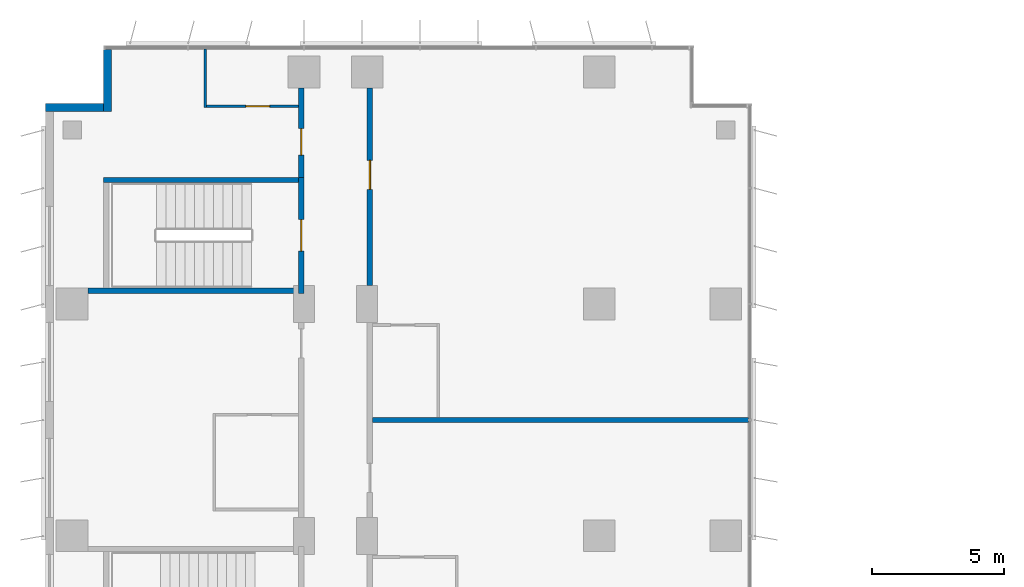
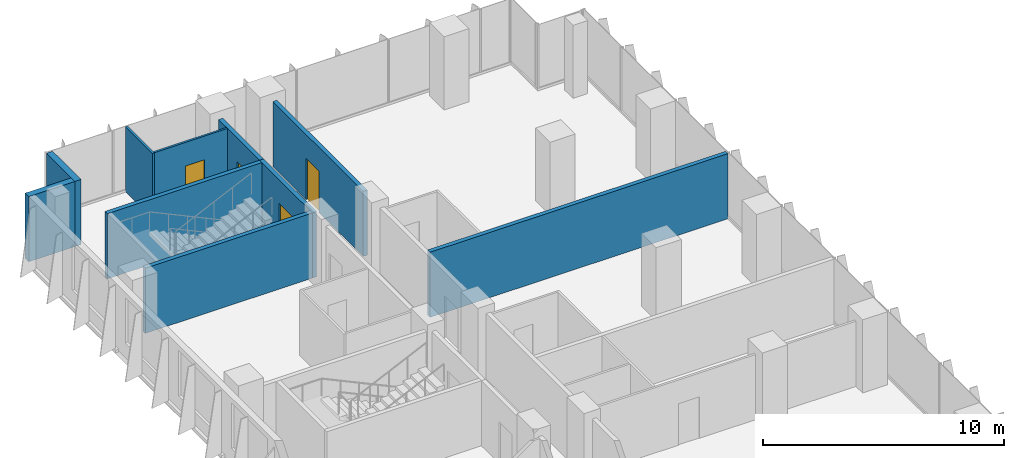
# One storey, part 17 of 22: 10 walls, 4 doors, 4 openings.
"""IFC4 building model written with IfcOpenShell, lengths in metres."""

from ifc_helpers import new_model, si_unit, direction, frame, frame_2d, origin, place, context, subcontext, project, spatial, rectangle, extrude, material, layer, layer_set, type_object, element, fill, save


model = new_model("IFC4")

# Units and contexts
model_context = context("Model", 3, precision=1e-05, world=origin(), true_north=direction((0.0, 1.0)))
body_context = subcontext(model_context, "Body", "Model", "MODEL_VIEW")
ifc_project = project(units=[si_unit("LENGTHUNIT", "METRE"), si_unit("AREAUNIT", "SQUARE_METRE"), si_unit("VOLUMEUNIT", "CUBIC_METRE"), si_unit("PLANEANGLEUNIT", "RADIAN"), si_unit("MASSUNIT", "GRAM", prefix="KILO")], contexts=[model_context])

# Site, building, storey
site_placement = place(None, origin())
site = spatial("IfcSite", under=ifc_project, at=site_placement, CompositionType="ELEMENT")
building_placement = place(site_placement, origin())
building = spatial("IfcBuilding", under=site, at=building_placement, Name="Kemantara Hotel Tower", CompositionType="ELEMENT")
storey_placement = place(building_placement, frame((0.0, 0.0, 98.199951171875)))
storey = spatial("IfcBuildingStorey", under=building, at=storey_placement, Name="L23", CompositionType="ELEMENT", Elevation=98.199951171875)

# Walls
ifc_material_1 = material(Name="Bronze anodised aluminium cladding on insulated steel stud wall", Category="steel")
ifc_layer_1 = layer(ifc_material_1, 0.300048828125)
ifc_layer_set_1 = layer_set([ifc_layer_1], Name="Bronze anodised aluminium cladding on insulated steel stud wall")
wall_type_1 = type_object("IfcWallType", Name="BRONZE METAL-CLAD EXTERNAL WALL 300", PredefinedType="STANDARD", material=ifc_layer_set_1)
wall_1_placement = place(storey_placement, frame((2.35009765625, 81.050048828125, 0.0), z_axis=(0.0, 0.0, 1.0), x_axis=(0.0, -1.0, 0.0)))
element("IfcWall", 1, at=wall_1_placement, inside=storey, type_object=wall_type_1, Name="EXTERNAL WALL L23 T2-R02", PredefinedType="STANDARD", context=body_context, shape_type="SweptSolid", body=[
    extrude(rectangle(XDim=2.35009765625, YDim=0.300048828125, at=frame_2d((1.175048828125, 0.0))), origin(), (0.0, 0.0, 1.0), 3.300048828125),
])
wall_2_placement = place(storey_placement, frame((2.199951171875, 78.85009765625, 0.0), z_axis=(0.0, 0.0, 1.0), x_axis=(-1.0, 0.0, 0.0)))
element("IfcWall", 2, at=wall_2_placement, inside=storey, type_object=wall_type_1, Name="EXTERNAL WALL L23 T2-R03", PredefinedType="STANDARD", context=body_context, shape_type="SweptSolid", body=[
    extrude(rectangle(XDim=2.199951171875, YDim=0.300048828125, at=frame_2d((1.10009765625, 0.0))), origin(), (0.0, 0.0, 1.0), 3.300048828125),
])

# Wall, opening, door
ifc_material_2 = material(Name="Gypsum board partition, steel studs and mineral wool, 200 mm", Category="steel")
ifc_layer_2 = layer(ifc_material_2, 0.199951171875)
ifc_layer_set_2 = layer_set([ifc_layer_2], Name="Gypsum board partition, steel studs and mineral wool, 200 mm")
wall_type_2 = type_object("IfcWallType", Name="CORRIDOR WALL 200", PredefinedType="PARTITIONING", material=ifc_layer_set_2)
wall_3_placement = place(storey_placement, frame((9.699951171875, 76.199951171875, 0.0), z_axis=(0.0, 0.0, 1.0), x_axis=(0.0, 1.0, 0.0)))
wall_3 = element("IfcWall", 3, at=wall_3_placement, inside=storey, type_object=wall_type_2, Name="CORRIDOR WALL 200 023", PredefinedType="PARTITIONING", context=body_context, shape_type="SweptSolid", body=[
    extrude(rectangle(XDim=3.39990234375, YDim=0.199951171875, at=frame_2d((1.699951171875, 0.0))), origin(), (0.0, 0.0, 1.0), 3.300048828125),
])
opening_1_placement = place(wall_3_placement, frame((0.85009765625, 0.0, 0.0)))
opening_1 = element("IfcOpeningElement", 4, at=opening_1_placement, cuts=wall_3, Name="Opening F09-031", PredefinedType="OPENING", context=body_context, shape_type="SweptSolid", body=[
    extrude(rectangle(XDim=1.0, YDim=2.10009765625, at=frame_2d((0.5, 1.050048828125))), frame((0.0, 0.10986328125, 0.0), z_axis=(0.0, -1.0, 0.0), x_axis=(1.0, 0.0, 0.0)), (0.0, 0.0, 1.0), 0.219970703125),
])
ifc_material_3 = material(Name="Hardwood veneer door leaf with steel frame", Category="steel")
door_type_1 = type_object("IfcDoorType", Name="GUEST ROOM DOOR 1000 X 2100 FD30S", OperationType="NOTDEFINED", PredefinedType="DOOR", material=ifc_material_3)
door_1_placement = place(opening_1_placement, origin())
door_1 = element("IfcDoor", 5, at=door_1_placement, inside=storey, type_object=door_type_1, Name="GUEST ROOM DOOR F09-031", OperationType="SINGLE_SWING_LEFT", OverallHeight=2.10009765625, OverallWidth=1.0, PredefinedType="DOOR", context=body_context, shape_type="SweptSolid", body=[
    extrude(rectangle(XDim=1.0, YDim=2.10009765625, at=frame_2d((0.5, 1.050048828125))), frame((0.0, 0.02490234375, 0.0), z_axis=(0.0, -1.0, 0.0), x_axis=(1.0, 0.0, 0.0)), (0.0, 0.0, 1.0), 0.050048828125),
])
fill(opening_1, door_1)

wall_4_placement = place(storey_placement, frame((12.300048828125, 79.599853515625, 0.0), z_axis=(0.0, 0.0, 1.0), x_axis=(0.0, -1.0, 0.0)))
wall_4 = element("IfcWall", 6, at=wall_4_placement, inside=storey, type_object=wall_type_2, Name="CORRIDOR WALL 200 036", PredefinedType="PARTITIONING", context=body_context, shape_type="SweptSolid", body=[
    extrude(rectangle(XDim=7.499755859375, YDim=0.199951171875, at=frame_2d((3.75, 0.0))), origin(), (0.0, 0.0, 1.0), 3.300048828125),
])
opening_2_placement = place(wall_4_placement, frame((2.75, 0.0, 0.0)))
opening_2 = element("IfcOpeningElement", 7, at=opening_2_placement, cuts=wall_4, Name="Opening F09-045", PredefinedType="OPENING", context=body_context, shape_type="SweptSolid", body=[
    extrude(rectangle(XDim=1.10009765625, YDim=2.10009765625, at=frame_2d((0.550048828125, 1.050048828125))), frame((0.0, 0.10986328125, 0.0), z_axis=(0.0, -1.0, 0.0), x_axis=(1.0, 0.0, 0.0)), (0.0, 0.0, 1.0), 0.219970703125),
])
door_type_2 = type_object("IfcDoorType", Name="SUITE ENTRANCE DOOR 1100 X 2100 FD30S", OperationType="NOTDEFINED", PredefinedType="DOOR", material=ifc_material_3)
door_2_placement = place(opening_2_placement, origin())
door_2 = element("IfcDoor", 8, at=door_2_placement, inside=storey, type_object=door_type_2, Name="SUITE ENTRANCE DOOR F09-045", OperationType="SINGLE_SWING_LEFT", OverallHeight=2.10009765625, OverallWidth=1.10009765625, PredefinedType="DOOR", context=body_context, shape_type="SweptSolid", body=[
    extrude(rectangle(XDim=1.10009765625, YDim=2.10009765625, at=frame_2d((0.550048828125, 1.050048828125))), frame((0.0, 0.02490234375, 0.0), z_axis=(0.0, -1.0, 0.0), x_axis=(1.0, 0.0, 0.0)), (0.0, 0.0, 1.0), 0.050048828125),
])
fill(opening_2, door_2)

ifc_material_4 = material(Name="Concrete fc 40 MPa", Category="concrete")
ifc_layer_3 = layer(ifc_material_4, 0.199951171875)
ifc_layer_set_3 = layer_set([ifc_layer_3], Name="Concrete fc 40 MPa")
wall_type_3 = type_object("IfcWallType", Name="Concrete stair wall 200 mm", PredefinedType="SHEAR", material=ifc_layer_set_3)
wall_5_placement = place(storey_placement, frame((9.699951171875, 71.800048828125, 0.0), z_axis=(0.0, 0.0, 1.0), x_axis=(0.0, 1.0, 0.0)))
wall_5 = element("IfcWall", 9, at=wall_5_placement, inside=storey, type_object=wall_type_3, Name="Stair ST6 enclosure wall with door", PredefinedType="SHEAR", context=body_context, shape_type="SweptSolid", body=[
    extrude(rectangle(XDim=4.39990234375, YDim=0.199951171875, at=frame_2d((2.199951171875, 0.0))), origin(), (0.0, 0.0, 1.0), 3.300048828125),
])
opening_3_placement = place(wall_5_placement, frame((1.60009765625, 0.0, 0.0)))
opening_3 = element("IfcOpeningElement", 10, at=opening_3_placement, cuts=wall_5, Name="Opening ST6-C", PredefinedType="OPENING", context=body_context, shape_type="SweptSolid", body=[
    extrude(rectangle(XDim=1.199951171875, YDim=2.10009765625, at=frame_2d((0.60009765625, 1.050048828125))), frame((0.0, 0.10986328125, 0.0), z_axis=(0.0, -1.0, 0.0), x_axis=(1.0, 0.0, 0.0)), (0.0, 0.0, 1.0), 0.219970703125),
])
ifc_material_5 = material(Name="Steel fire door", Category="steel")
door_type_3 = type_object("IfcDoorType", Name="Fire door FD90 1200 x 2100", OperationType="NOTDEFINED", PredefinedType="DOOR", material=ifc_material_5)
door_3_placement = place(opening_3_placement, origin())
door_3 = element("IfcDoor", 11, at=door_3_placement, inside=storey, type_object=door_type_3, Name="Stair ST6 door", OperationType="SINGLE_SWING_RIGHT", OverallHeight=2.10009765625, OverallWidth=1.199951171875, PredefinedType="DOOR", context=body_context, shape_type="SweptSolid", body=[
    extrude(rectangle(XDim=1.199951171875, YDim=2.10009765625, at=frame_2d((0.60009765625, 1.050048828125))), frame((0.0, 0.02490234375, 0.0), z_axis=(0.0, -1.0, 0.0), x_axis=(1.0, 0.0, 0.0)), (0.0, 0.0, 1.0), 0.050048828125),
])
fill(opening_3, door_3)

# Walls
wall_6_placement = place(storey_placement, frame((2.199951171875, 76.10009765625, 0.0), z_axis=(0.0, 0.0, 1.0), x_axis=(1.0, 0.0, 0.0)))
element("IfcWall", 12, at=wall_6_placement, inside=storey, type_object=wall_type_3, Name="Stair ST6 enclosure wall N", PredefinedType="SHEAR", context=body_context, shape_type="SweptSolid", body=[
    extrude(rectangle(XDim=7.400146484375, YDim=0.199951171875, at=frame_2d((3.7001953125, 0.0))), origin(), (0.0, 0.0, 1.0), 3.300048828125),
])
wall_7_placement = place(storey_placement, frame((1.60009765625, 71.89990234375, 0.0), z_axis=(0.0, 0.0, 1.0), x_axis=(1.0, 0.0, 0.0)))
element("IfcWall", 13, at=wall_7_placement, inside=storey, type_object=wall_type_3, Name="Stair ST6 enclosure wall S", PredefinedType="SHEAR", context=body_context, shape_type="SweptSolid", body=[
    extrude(rectangle(XDim=8.0, YDim=0.199951171875, at=frame_2d((4.0, 0.0))), origin(), (0.0, 0.0, 1.0), 3.300048828125),
])
ifc_layer_4 = layer(ifc_material_2, 0.199951171875)
ifc_layer_set_4 = layer_set([ifc_layer_4], Name="Gypsum board partition, steel studs and mineral wool, 200 mm")
wall_type_4 = type_object("IfcWallType", Name="GUEST ROOM PARTY WALL 200", PredefinedType="PARTITIONING", material=ifc_layer_set_4)
wall_8_placement = place(storey_placement, frame((12.39990234375, 67.0, 0.0), z_axis=(0.0, 0.0, 1.0), x_axis=(1.0, 0.0, 0.0)))
element("IfcWall", 14, at=wall_8_placement, inside=storey, type_object=wall_type_4, Name="GUEST ROOM PARTY WALL 200 042", PredefinedType="PARTITIONING", context=body_context, shape_type="SweptSolid", body=[
    extrude(rectangle(XDim=14.27001953125, YDim=0.199951171875, at=frame_2d((7.135009765625, 0.0))), origin(), (0.0, 0.0, 1.0), 3.300048828125),
])
ifc_material_6 = material(Name="Gypsum board partition on steel studs, 100 mm", Category="steel")
ifc_layer_5 = layer(ifc_material_6, 0.10009765625)
ifc_layer_set_5 = layer_set([ifc_layer_5], Name="Gypsum board partition on steel studs, 100 mm")
wall_type_5 = type_object("IfcWallType", Name="ROOM PARTITION 100", PredefinedType="PARTITIONING", material=ifc_layer_set_5)
wall_9_placement = place(storey_placement, frame((6.050048828125, 78.85009765625, 0.0), z_axis=(0.0, 0.0, 1.0), x_axis=(0.0, 1.0, 0.0)))
element("IfcWall", 15, at=wall_9_placement, inside=storey, type_object=wall_type_5, Name="ROOM PARTITION 100 059", PredefinedType="PARTITIONING", context=body_context, shape_type="SweptSolid", body=[
    extrude(rectangle(XDim=2.219970703125, YDim=0.10009765625, at=frame_2d((1.10986328125, 0.0))), origin(), (0.0, 0.0, 1.0), 3.300048828125),
])

# Wall, opening, door
wall_10_placement = place(storey_placement, frame((6.10009765625, 78.89990234375, 0.0), z_axis=(0.0, 0.0, 1.0), x_axis=(1.0, 0.0, 0.0)))
wall_10 = element("IfcWall", 16, at=wall_10_placement, inside=storey, type_object=wall_type_5, Name="ROOM PARTITION 100 076", PredefinedType="PARTITIONING", context=body_context, shape_type="SweptSolid", body=[
    extrude(rectangle(XDim=3.5, YDim=0.10009765625, at=frame_2d((1.75, 0.0))), origin(), (0.0, 0.0, 1.0), 3.300048828125),
])
opening_4_placement = place(wall_10_placement, frame((1.5, 0.0, 0.0)))
opening_4 = element("IfcOpeningElement", 17, at=opening_4_placement, cuts=wall_10, Name="Opening F09-032", PredefinedType="OPENING", context=body_context, shape_type="SweptSolid", body=[
    extrude(rectangle(XDim=0.89990234375, YDim=2.10009765625, at=frame_2d((0.449951171875, 1.050048828125))), frame((0.0, 0.06005859375, 0.0), z_axis=(0.0, -1.0, 0.0), x_axis=(1.0, 0.0, 0.0)), (0.0, 0.0, 1.0), 0.1201171875),
])
door_type_4 = type_object("IfcDoorType", Name="BATHROOM DOOR 900 X 2100", OperationType="NOTDEFINED", PredefinedType="DOOR", material=ifc_material_3)
door_4_placement = place(opening_4_placement, origin())
door_4 = element("IfcDoor", 18, at=door_4_placement, inside=storey, type_object=door_type_4, Name="BATHROOM DOOR F09-032", OperationType="SINGLE_SWING_RIGHT", OverallHeight=2.10009765625, OverallWidth=0.89990234375, PredefinedType="DOOR", context=body_context, shape_type="SweptSolid", body=[
    extrude(rectangle(XDim=0.89990234375, YDim=2.10009765625, at=frame_2d((0.449951171875, 1.050048828125))), frame((0.0, 0.02490234375, 0.0), z_axis=(0.0, -1.0, 0.0), x_axis=(1.0, 0.0, 0.0)), (0.0, 0.0, 1.0), 0.050048828125),
])
fill(opening_4, door_4)

save(model, "model.ifc")
